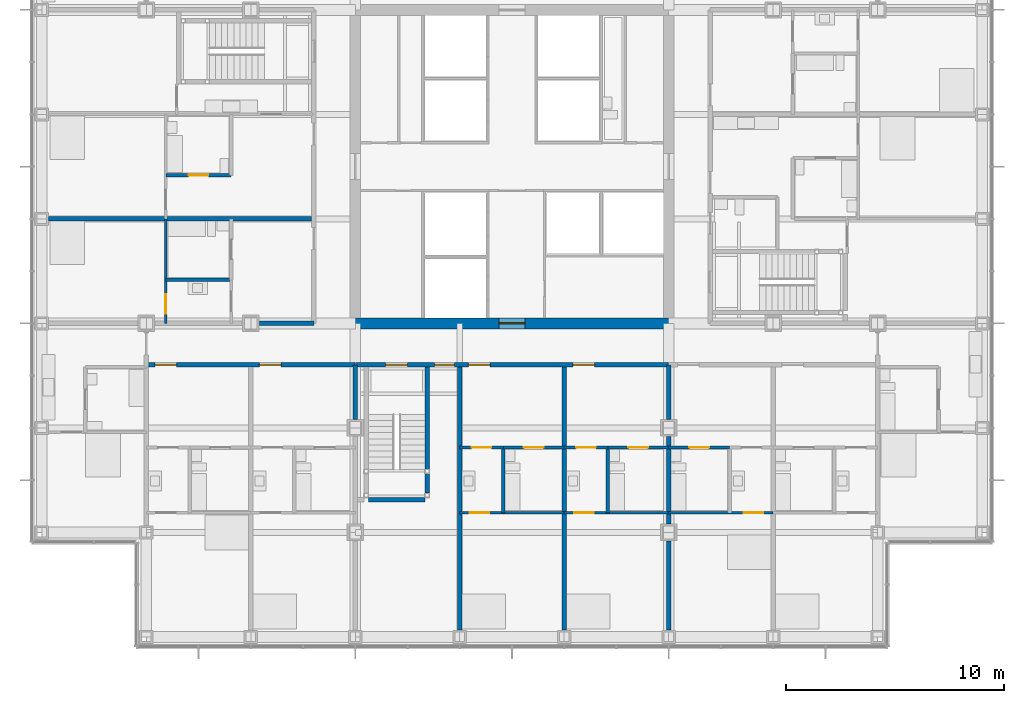
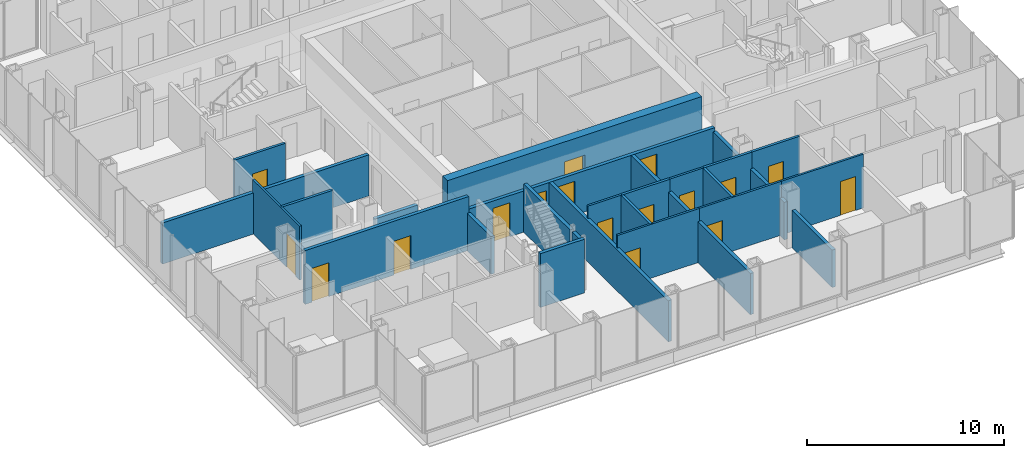
# One storey, part 14 of 22: 27 walls, 17 doors, 17 openings.
"""IFC4 building model written with IfcOpenShell, lengths in metres."""

import ifcopenshell
import ifcopenshell.guid

model = None  # the IFC model being written
_history = None  # IfcOwnerHistory: only IFC2X3 demands one
_inside = {}  # id of a spatial element -> (the spatial element, [elements in it])
_under = {}  # id of a project, library or spatial element -> (it, [spatial elements below it])
_declared = {}  # id of a project -> (the project, [libraries it declares])
_typed = {}  # id of a type object -> (the type object, [elements of that type])
_made_of = {}  # id of a material, layer set ... -> (it, [elements and type objects made of it])


def new_model(schema):
    """Start an empty IFC model of exactly this schema.

    Asked for "IFC4X3", IfcOpenShell would pick the latest addendum, in which some entities
    have other attributes; the version numbers below select the first issue.
    IFC2X3 requires an IfcOwnerHistory on every rooted entity: one is made here for all.
    """
    global model, _history
    if schema == "IFC4X3":
        model = ifcopenshell.file(schema_version=(4, 3, 0, 0))
    else:
        model = ifcopenshell.file(schema=schema)
    _inside.clear()
    _under.clear()
    _declared.clear()
    _typed.clear()
    _made_of.clear()
    _history = None
    if model.schema == "IFC2X3":
        org = make("IfcOrganization", Name="unknown")
        user = make(
            "IfcPersonAndOrganization",
            ThePerson=make("IfcPerson", FamilyName="unknown"),
            TheOrganization=org,
        )
        app = make(
            "IfcApplication",
            ApplicationDeveloper=org,
            Version="unknown",
            ApplicationFullName="unknown",
            ApplicationIdentifier="unknown",
        )
        _history = make(
            "IfcOwnerHistory",
            OwningUser=user,
            OwningApplication=app,
            ChangeAction="ADDED",
            CreationDate=0,
        )
    return model


def make(cls, **values):
    """One entity of the class cls with the attributes given. An attribute that is None is left unset."""
    return model.create_entity(
        cls, **{name: value for name, value in values.items() if value is not None}
    )


def rooted(cls, **values):
    """An entity with a GlobalId (a new one), such as an element, a storey or a relation."""
    return make(cls, GlobalId=ifcopenshell.guid.new(), OwnerHistory=_history, **values)


def si_unit(unit_type, name, prefix=None):
    """IfcSIUnit, for example si_unit("LENGTHUNIT", "METRE", prefix="MILLI")."""
    return make("IfcSIUnit", UnitType=unit_type, Prefix=prefix, Name=name)


def assignment(units):
    """IfcUnitAssignment: the units of a project."""
    return None if units is None else make("IfcUnitAssignment", Units=units)


def point(xyz):
    """IfcCartesianPoint."""
    return None if xyz is None else make("IfcCartesianPoint", Coordinates=xyz)


def direction(xyz):
    """IfcDirection."""
    return None if xyz is None else make("IfcDirection", DirectionRatios=xyz)


def frame(location, z_axis=None, x_axis=None):
    """IfcAxis2Placement3D, a coordinate frame: its origin and axes. An axis left out is left unset."""
    return make(
        "IfcAxis2Placement3D",
        Location=point(location),
        Axis=direction(z_axis),
        RefDirection=direction(x_axis),
    )


def frame_2d(location, x_axis=None):
    """IfcAxis2Placement2D, a coordinate frame in the plane: its origin and x axis."""
    return make(
        "IfcAxis2Placement2D", Location=point(location), RefDirection=direction(x_axis)
    )


def origin():
    """The frame at (0, 0, 0) with its axes left unset."""
    return frame((0.0, 0.0, 0.0))


def place(relative_to, where):
    """IfcLocalPlacement: puts the frame where relative to a parent placement (None: the world)."""
    return make(
        "IfcLocalPlacement", PlacementRelTo=relative_to, RelativePlacement=where
    )


def context(
    kind, dimensions, precision=None, world=None, true_north=None, identifier=None
):
    """IfcGeometricRepresentationContext, for example the 3D "Model" context."""
    return make(
        "IfcGeometricRepresentationContext",
        ContextIdentifier=identifier,
        ContextType=kind,
        CoordinateSpaceDimension=dimensions,
        Precision=precision,
        WorldCoordinateSystem=world,
        TrueNorth=true_north,
    )


def subcontext(parent, identifier, kind, view, scale=None):
    """IfcGeometricRepresentationSubContext, for example "Body" below "Model"."""
    return make(
        "IfcGeometricRepresentationSubContext",
        ContextIdentifier=identifier,
        ContextType=kind,
        ParentContext=parent,
        TargetScale=scale,
        TargetView=view,
    )


def project(units=None, contexts=None):
    """IfcProject with its units and contexts."""
    return rooted(
        "IfcProject",
        Name="project",
        RepresentationContexts=contexts,
        UnitsInContext=assignment(units),
    )


def spatial(cls, under=None, at=None, **own):
    """A site, building, storey or space (cls), placed at a placement, below another one or the project."""
    s = rooted(cls, ObjectPlacement=at, **own)
    if under is not None:
        _under.setdefault(under.id(), (under, []))[1].append(s)
    return s


def profile(cls, at=None, kind="AREA", **sizes):
    """A parametric profile (cls). Its sizes go by their IFC names, for example OverallWidth=200.0."""
    return make(cls, ProfileType=kind, Position=at, **sizes)


def rectangle(**sizes):
    """IfcRectangleProfileDef."""
    return profile("IfcRectangleProfileDef", **sizes)


def extrude(swept, where, along, depth):
    """IfcExtrudedAreaSolid: the profile swept, set in the frame where, extruded along a direction by depth."""
    return make(
        "IfcExtrudedAreaSolid",
        SweptArea=swept,
        Position=where,
        ExtrudedDirection=direction(along),
        Depth=depth,
    )


def shape(context_of_items, identifier, shape_type, items):
    """IfcShapeRepresentation: the items that make up one representation, for example the "Body"."""
    return make(
        "IfcShapeRepresentation",
        ContextOfItems=context_of_items,
        RepresentationIdentifier=identifier,
        RepresentationType=shape_type,
        Items=items,
    )


def material(Name=None, Category=None):
    """IfcMaterial."""
    return make("IfcMaterial", Name=Name, Category=Category)


def layer(
    of_material, thickness, ventilated=None, Name=None, Category=None, Priority=None
):
    """IfcMaterialLayer: one layer of a wall or slab, of a material (None: an air gap)."""
    return make(
        "IfcMaterialLayer",
        Material=of_material,
        LayerThickness=thickness,
        IsVentilated=ventilated,
        Name=Name,
        Category=Category,
        Priority=Priority,
    )


def layer_set(layers, Name=None):
    """IfcMaterialLayerSet."""
    return make("IfcMaterialLayerSet", MaterialLayers=layers, LayerSetName=Name)


def made_of(thing, what):
    """Note that an element or type object is made of a material, layer set ...; save() writes the relation."""
    if what is not None:
        _made_of.setdefault(what.id(), (what, []))[1].append(thing)
    return thing


def type_object(cls, material=None, **own):
    """A type object (cls), such as IfcWallType, which elements share."""
    return made_of(rooted(cls, **own), material)


def element(
    cls,
    number,
    at=None,
    inside=None,
    cuts=None,
    type_object=None,
    material=None,
    context=None,
    identifier="Body",
    shape_type=None,
    held_by="IfcProductDefinitionShape",
    body=None,
    shapes=None,
    **own,
):
    """One element of the class cls, such as IfcWall. Its Tag is "e" and its number.

    at: its placement. inside: the storey or other place that contains it. cuts: it is an
    opening in that element (IfcRelVoidsElement). A single representation is given by context,
    identifier, shape_type and body (its items); several are given by shapes. held_by: the class
    of the entity that holds the representations. save() writes the other relations.
    """
    e = rooted(cls, Tag="e%d" % number, ObjectPlacement=at, **own)
    if body is not None:
        shapes = [shape(context, identifier, shape_type, body)]
    if shapes is not None:
        e.Representation = make(held_by, Representations=shapes)
    if inside is not None:
        _inside.setdefault(inside.id(), (inside, []))[1].append(e)
    if cuts is not None:
        rooted(
            "IfcRelVoidsElement", RelatingBuildingElement=cuts, RelatedOpeningElement=e
        )
    if type_object is not None:
        _typed.setdefault(type_object.id(), (type_object, []))[1].append(e)
    return made_of(e, material)


def fill(opening, filler):
    """IfcRelFillsElement: the door or window that sits in an opening."""
    return rooted(
        "IfcRelFillsElement",
        RelatingOpeningElement=opening,
        RelatedBuildingElement=filler,
    )


def aggregate(whole, parts):
    """IfcRelAggregates: a whole, such as a stair, and the parts it consists of."""
    return rooted("IfcRelAggregates", RelatingObject=whole, RelatedObjects=parts)


def save(model, path):
    """Write the relations noted so far, then the file.

    IfcRelAggregates (storeys below a building ...), IfcRelContainedInSpatialStructure (elements
    in a storey), IfcRelDefinesByType, IfcRelAssociatesMaterial and IfcRelDeclares: one each for
    every whole, place, type object, material and project.
    """
    for whole, parts in _under.values():
        aggregate(whole, parts)
    for where, things in _inside.values():
        rooted(
            "IfcRelContainedInSpatialStructure",
            RelatedElements=things,
            RelatingStructure=where,
        )
    for kind, things in _typed.values():
        rooted("IfcRelDefinesByType", RelatedObjects=things, RelatingType=kind)
    for what, things in _made_of.values():
        rooted("IfcRelAssociatesMaterial", RelatedObjects=things, RelatingMaterial=what)
    for by, libraries in _declared.values():
        rooted("IfcRelDeclares", RelatingContext=by, RelatedDefinitions=libraries)
    model.write(path)


model = new_model("IFC4")

# Units and contexts
model_context = context("Model", 3, precision=1e-05, world=origin(), true_north=direction((0.0, 1.0)))
body_context = subcontext(model_context, "Body", "Model", "MODEL_VIEW")
ifc_project = project(units=[si_unit("LENGTHUNIT", "METRE"), si_unit("AREAUNIT", "SQUARE_METRE"), si_unit("VOLUMEUNIT", "CUBIC_METRE"), si_unit("PLANEANGLEUNIT", "RADIAN"), si_unit("MASSUNIT", "GRAM", prefix="KILO")], contexts=[model_context])

# Site, building, storey
site_placement = place(None, origin())
site = spatial("IfcSite", under=ifc_project, at=site_placement, CompositionType="ELEMENT")
building_placement = place(site_placement, origin())
building = spatial("IfcBuilding", under=site, at=building_placement, Name="Kvirike Care Tower", CompositionType="ELEMENT")
storey_placement = place(building_placement, frame((0.0, 0.0, 69.0)))
storey = spatial("IfcBuildingStorey", under=building, at=storey_placement, Name="L18", CompositionType="ELEMENT", Elevation=69.0)

# Wall, opening, door
ifc_material_1 = material(Name="Moisture-resistant board partition", Category="gypsum")
ifc_layer_1 = layer(ifc_material_1, 0.14990234375)
ifc_layer_set_1 = layer_set([ifc_layer_1], Name="BATHROOM WALL 150")
wall_type_1 = type_object("IfcWallType", Name="BATHROOM WALL 150", PredefinedType="PARTITIONING", material=ifc_layer_set_1)
wall_1_placement = place(storey_placement, frame((5.699951171875, 35.60009765625, 0.0), z_axis=(0.0, 0.0, 1.0), x_axis=(1.0, 0.0, 0.0)))
wall_1 = element("IfcWall", 1, at=wall_1_placement, inside=storey, type_object=wall_type_1, Name="Bathroom Wall 150 L18", PredefinedType="PARTITIONING", context=body_context, shape_type="SweptSolid", body=[
    extrude(rectangle(XDim=3.0, YDim=0.14990234375, at=frame_2d((1.5, 0.0))), origin(), (0.0, 0.0, 1.0), 3.330078125),
])
opening_1_placement = place(wall_1_placement, frame((1.050048828125, 0.0, 0.0)))
opening_1 = element("IfcOpeningElement", 2, at=opening_1_placement, cuts=wall_1, Name="Opening 18-012", PredefinedType="OPENING", context=body_context, shape_type="SweptSolid", body=[
    extrude(rectangle(XDim=0.89990234375, YDim=2.10009765625, at=frame_2d((0.449951171875, 1.050048828125))), frame((0.0, 0.08544921875, 0.0), z_axis=(0.0, -1.0, 0.0), x_axis=(1.0, 0.0, 0.0)), (0.0, 0.0, 1.0), 0.1708984375),
])
ifc_material_2 = material(Name="Timber door set", Category="wood")
door_type_1 = type_object("IfcDoorType", Name="BATHROOM DOOR 900", OperationType="SINGLE_SWING_RIGHT", PredefinedType="DOOR", material=ifc_material_2)
door_1_placement = place(opening_1_placement, origin())
door_1 = element("IfcDoor", 3, at=door_1_placement, inside=storey, type_object=door_type_1, Name="Bathroom door", OperationType="SINGLE_SWING_LEFT", OverallHeight=2.10009765625, OverallWidth=0.89990234375, PredefinedType="DOOR", context=body_context, shape_type="SweptSolid", body=[
    extrude(rectangle(XDim=0.89990234375, YDim=2.10009765625, at=frame_2d((0.449951171875, 1.050048828125))), frame((0.0, 0.02197265625, 0.0), z_axis=(0.0, -1.0, 0.0), x_axis=(1.0, 0.0, 0.0)), (0.0, 0.0, 1.0), 0.0439453125),
])
fill(opening_1, door_1)

# Walls
for number, where, z_axis, x_axis, name in (
    (4, (5.699951171875, 30.800048828125, 0.0), (0.0, 0.0, 1.0), (1.0, 0.0, 0.0), "Bathroom Wall 150 L18"),
    (5, (21.199951171875, 20.10009765625, 0.0), (0.0, 0.0, 1.0), (0.0, 1.0, 0.0), "Bathroom Wall 150 L18"),
):
    element("IfcWall", number, at=place(storey_placement, frame(where, z_axis=z_axis, x_axis=x_axis)), inside=storey, type_object=wall_type_1, Name=name, PredefinedType="PARTITIONING", context=body_context, shape_type="SweptSolid", body=[
        extrude(rectangle(XDim=3.0, YDim=0.14990234375, at=frame_2d((1.5, 0.0))), origin(), (0.0, 0.0, 1.0), 3.330078125),
    ])

# Wall, opening, door
wall_2_placement = place(storey_placement, frame((21.199951171875, 23.10009765625, 0.0), z_axis=(0.0, 0.0, 1.0), x_axis=(1.0, 0.0, 0.0)))
wall_2 = element("IfcWall", 6, at=wall_2_placement, inside=storey, type_object=wall_type_1, Name="Bathroom Wall 150 L18", PredefinedType="PARTITIONING", context=body_context, shape_type="SweptSolid", body=[
    extrude(rectangle(XDim=2.800048828125, YDim=0.14990234375, at=frame_2d((1.39990234375, 0.0))), origin(), (0.0, 0.0, 1.0), 3.330078125),
])
opening_2_placement = place(wall_2_placement, frame((0.949951171875, 0.0, 0.0)))
opening_2 = element("IfcOpeningElement", 7, at=opening_2_placement, cuts=wall_2, Name="Opening 18-033", PredefinedType="OPENING", context=body_context, shape_type="SweptSolid", body=[
    extrude(rectangle(XDim=0.89990234375, YDim=2.10009765625, at=frame_2d((0.449951171875, 1.050048828125))), frame((0.0, 0.08544921875, 0.0), z_axis=(0.0, -1.0, 0.0), x_axis=(1.0, 0.0, 0.0)), (0.0, 0.0, 1.0), 0.1708984375),
])
door_2_placement = place(opening_2_placement, frame((0.89990234375, 0.0, 0.0), z_axis=(0.0, 0.0, 1.0), x_axis=(-1.0, 0.0, 0.0)))
door_2 = element("IfcDoor", 8, at=door_2_placement, inside=storey, type_object=door_type_1, Name="Bathroom door", OperationType="SINGLE_SWING_RIGHT", OverallHeight=2.10009765625, OverallWidth=0.89990234375, PredefinedType="DOOR", context=body_context, shape_type="SweptSolid", body=[
    extrude(rectangle(XDim=0.89990234375, YDim=2.10009765625, at=frame_2d((0.449951171875, 1.050048828125))), frame((0.0, 0.02197265625, 0.0), z_axis=(0.0, -1.0, 0.0), x_axis=(1.0, 0.0, 0.0)), (0.0, 0.0, 1.0), 0.0439453125),
])
fill(opening_2, door_2)

# Wall
wall_3_placement = place(storey_placement, frame((26.0, 20.10009765625, 0.0), z_axis=(0.0, 0.0, 1.0), x_axis=(0.0, 1.0, 0.0)))
element("IfcWall", 9, at=wall_3_placement, inside=storey, type_object=wall_type_1, Name="Bathroom Wall 150 L18", PredefinedType="PARTITIONING", context=body_context, shape_type="SweptSolid", body=[
    extrude(rectangle(XDim=3.0, YDim=0.14990234375, at=frame_2d((1.5, 0.0))), origin(), (0.0, 0.0, 1.0), 3.330078125),
])

# Wall, opening, door
wall_4_placement = place(storey_placement, frame((26.0, 23.10009765625, 0.0), z_axis=(0.0, 0.0, 1.0), x_axis=(1.0, 0.0, 0.0)))
wall_4 = element("IfcWall", 10, at=wall_4_placement, inside=storey, type_object=wall_type_1, Name="Bathroom Wall 150 L18", PredefinedType="PARTITIONING", context=body_context, shape_type="SweptSolid", body=[
    extrude(rectangle(XDim=2.800048828125, YDim=0.14990234375, at=frame_2d((1.39990234375, 0.0))), origin(), (0.0, 0.0, 1.0), 3.330078125),
])
opening_3_placement = place(wall_4_placement, frame((0.949951171875, 0.0, 0.0)))
opening_3 = element("IfcOpeningElement", 11, at=opening_3_placement, cuts=wall_4, Name="Opening 18-036", PredefinedType="OPENING", context=body_context, shape_type="SweptSolid", body=[
    extrude(rectangle(XDim=0.89990234375, YDim=2.10009765625, at=frame_2d((0.449951171875, 1.050048828125))), frame((0.0, 0.08544921875, 0.0), z_axis=(0.0, -1.0, 0.0), x_axis=(1.0, 0.0, 0.0)), (0.0, 0.0, 1.0), 0.1708984375),
])
door_3_placement = place(opening_3_placement, frame((0.89990234375, 0.0, 0.0), z_axis=(0.0, 0.0, 1.0), x_axis=(-1.0, 0.0, 0.0)))
door_3 = element("IfcDoor", 12, at=door_3_placement, inside=storey, type_object=door_type_1, Name="Bathroom door", OperationType="SINGLE_SWING_LEFT", OverallHeight=2.10009765625, OverallWidth=0.89990234375, PredefinedType="DOOR", context=body_context, shape_type="SweptSolid", body=[
    extrude(rectangle(XDim=0.89990234375, YDim=2.10009765625, at=frame_2d((0.449951171875, 1.050048828125))), frame((0.0, 0.02197265625, 0.0), z_axis=(0.0, -1.0, 0.0), x_axis=(1.0, 0.0, 0.0)), (0.0, 0.0, 1.0), 0.0439453125),
])
fill(opening_3, door_3)

wall_5_placement = place(storey_placement, frame((28.800048828125, 23.10009765625, 0.0), z_axis=(0.0, 0.0, 1.0), x_axis=(1.0, 0.0, 0.0)))
wall_5 = element("IfcWall", 13, at=wall_5_placement, inside=storey, type_object=wall_type_1, Name="Bathroom Wall 150 L18", PredefinedType="PARTITIONING", context=body_context, shape_type="SweptSolid", body=[
    extrude(rectangle(XDim=2.800048828125, YDim=0.14990234375, at=frame_2d((1.39990234375, 0.0))), origin(), (0.0, 0.0, 1.0), 3.330078125),
])
opening_4_placement = place(wall_5_placement, frame((0.949951171875, 0.0, 0.0)))
opening_4 = element("IfcOpeningElement", 14, at=opening_4_placement, cuts=wall_5, Name="Opening 18-055", PredefinedType="OPENING", context=body_context, shape_type="SweptSolid", body=[
    extrude(rectangle(XDim=0.89990234375, YDim=2.10009765625, at=frame_2d((0.449951171875, 1.050048828125))), frame((0.0, 0.08544921875, 0.0), z_axis=(0.0, -1.0, 0.0), x_axis=(1.0, 0.0, 0.0)), (0.0, 0.0, 1.0), 0.1708984375),
])
door_4_placement = place(opening_4_placement, frame((0.89990234375, 0.0, 0.0), z_axis=(0.0, 0.0, 1.0), x_axis=(-1.0, 0.0, 0.0)))
door_4 = element("IfcDoor", 15, at=door_4_placement, inside=storey, type_object=door_type_1, Name="Bathroom door", OperationType="SINGLE_SWING_RIGHT", OverallHeight=2.10009765625, OverallWidth=0.89990234375, PredefinedType="DOOR", context=body_context, shape_type="SweptSolid", body=[
    extrude(rectangle(XDim=0.89990234375, YDim=2.10009765625, at=frame_2d((0.449951171875, 1.050048828125))), frame((0.0, 0.02197265625, 0.0), z_axis=(0.0, -1.0, 0.0), x_axis=(1.0, 0.0, 0.0)), (0.0, 0.0, 1.0), 0.0439453125),
])
fill(opening_4, door_4)

ifc_material_3 = material(Name="Concrete C60/75", Category="concrete")
ifc_layer_2 = layer(ifc_material_3, 0.5)
ifc_layer_set_2 = layer_set([ifc_layer_2], Name="CORE WALL 500 C60-75")
wall_type_2 = type_object("IfcWallType", Name="CORE WALL 500 C60-75", PredefinedType="SHEAR", material=ifc_layer_set_2)
wall_6_placement = place(storey_placement, frame((14.14990234375, 28.800048828125, -0.169921875), z_axis=(0.0, 0.0, 1.0), x_axis=(1.0, 0.0, 0.0)))
wall_6 = element("IfcWall", 16, at=wall_6_placement, inside=storey, type_object=wall_type_2, Name="Core wall S L18", PredefinedType="SHEAR", context=body_context, shape_type="SweptSolid", body=[
    extrude(rectangle(XDim=14.900146484375, YDim=0.5, at=frame_2d((7.4501953125, 0.0))), origin(), (0.0, 0.0, 1.0), 3.5),
])
opening_5_placement = place(wall_6_placement, frame((6.85009765625, 0.0, 0.169921875)))
opening_5 = element("IfcOpeningElement", 17, at=opening_5_placement, cuts=wall_6, Name="Opening 18-098", PredefinedType="OPENING", context=body_context, shape_type="SweptSolid", body=[
    extrude(rectangle(XDim=1.199951171875, YDim=2.10009765625, at=frame_2d((0.60009765625, 1.050048828125))), frame((0.0, 0.260498046875, 0.0), z_axis=(0.0, -1.0, 0.0), x_axis=(1.0, 0.0, 0.0)), (0.0, 0.0, 1.0), 0.52099609375),
])
ifc_material_4 = material(Name="Timber door set", Category="wood")
door_type_2 = type_object("IfcDoorType", Name="CORE DOOR 1200", OperationType="SINGLE_SWING_LEFT", PredefinedType="DOOR", material=ifc_material_4)
door_5_placement = place(opening_5_placement, origin())
door_5 = element("IfcDoor", 18, at=door_5_placement, inside=storey, type_object=door_type_2, Name="Core door S L18", OperationType="SINGLE_SWING_LEFT", OverallHeight=2.10009765625, OverallWidth=1.199951171875, PredefinedType="DOOR", context=body_context, shape_type="SweptSolid", body=[
    extrude(rectangle(XDim=1.199951171875, YDim=2.10009765625, at=frame_2d((0.60009765625, 1.050048828125))), frame((0.0, 0.02685546875, 0.0), z_axis=(0.0, -1.0, 0.0), x_axis=(1.0, 0.0, 0.0)), (0.0, 0.0, 1.0), 0.053955078125),
])
fill(opening_5, door_5)

# Wall, openings, doors
ifc_material_5 = material(Name="Plasterboard corridor wall", Category="gypsum")
ifc_layer_3 = layer(ifc_material_5, 0.199951171875)
ifc_layer_set_3 = layer_set([ifc_layer_3], Name="CORRIDOR WALL 200")
wall_type_3 = type_object("IfcWallType", Name="CORRIDOR WALL 200", PredefinedType="PARTITIONING", material=ifc_layer_set_3)
wall_7_placement = place(storey_placement, frame((4.800048828125, 26.89990234375, 0.0), z_axis=(0.0, 0.0, 1.0), x_axis=(1.0, 0.0, 0.0)))
wall_7 = element("IfcWall", 19, at=wall_7_placement, inside=storey, type_object=wall_type_3, Name="Corridor Wall 200 L18", PredefinedType="PARTITIONING", context=body_context, shape_type="SweptSolid", body=[
    extrude(rectangle(XDim=9.599853515625, YDim=0.199951171875, at=frame_2d((4.7998046875, 0.0))), origin(), (0.0, 0.0, 1.0), 3.330078125),
])
opening_6_placement = place(wall_7_placement, frame((0.39990234375, 0.0, 0.0)))
opening_6 = element("IfcOpeningElement", 20, at=opening_6_placement, cuts=wall_7, Name="Opening 18-009", PredefinedType="OPENING", context=body_context, shape_type="SweptSolid", body=[
    extrude(rectangle(XDim=1.0, YDim=2.10009765625, at=frame_2d((0.5, 1.050048828125))), frame((0.0, 0.110595703125, 0.0), z_axis=(0.0, -1.0, 0.0), x_axis=(1.0, 0.0, 0.0)), (0.0, 0.0, 1.0), 0.220947265625),
])
opening_7_placement = place(wall_7_placement, frame((5.199951171875, 0.0, 0.0)))
opening_7 = element("IfcOpeningElement", 21, at=opening_7_placement, cuts=wall_7, Name="Opening 18-010", PredefinedType="OPENING", context=body_context, shape_type="SweptSolid", body=[
    extrude(rectangle(XDim=1.0, YDim=2.10009765625, at=frame_2d((0.5, 1.050048828125))), frame((0.0, 0.110595703125, 0.0), z_axis=(0.0, -1.0, 0.0), x_axis=(1.0, 0.0, 0.0)), (0.0, 0.0, 1.0), 0.220947265625),
])
ifc_material_6 = material(Name="Timber door set", Category="wood")
door_type_3 = type_object("IfcDoorType", Name="FLAT ENTRANCE DOOR 1000", OperationType="SINGLE_SWING_LEFT", PredefinedType="DOOR", material=ifc_material_6)
door_6_placement = place(opening_6_placement, frame((1.0, 0.0, 0.0), z_axis=(0.0, 0.0, 1.0), x_axis=(-1.0, 0.0, 0.0)))
door_6 = element("IfcDoor", 22, at=door_6_placement, inside=storey, type_object=door_type_3, Name="Studio apartment entrance", OperationType="SINGLE_SWING_LEFT", OverallHeight=2.10009765625, OverallWidth=1.0, PredefinedType="DOOR", context=body_context, shape_type="SweptSolid", body=[
    extrude(rectangle(XDim=1.0, YDim=2.10009765625, at=frame_2d((0.5, 1.050048828125))), frame((0.0, 0.02685546875, 0.0), z_axis=(0.0, -1.0, 0.0), x_axis=(1.0, 0.0, 0.0)), (0.0, 0.0, 1.0), 0.053955078125),
])
fill(opening_6, door_6)
door_7_placement = place(opening_7_placement, frame((1.0, 0.0, 0.0), z_axis=(0.0, 0.0, 1.0), x_axis=(-1.0, 0.0, 0.0)))
door_7 = element("IfcDoor", 23, at=door_7_placement, inside=storey, type_object=door_type_3, Name="Studio apartment entrance", OperationType="SINGLE_SWING_LEFT", OverallHeight=2.10009765625, OverallWidth=1.0, PredefinedType="DOOR", context=body_context, shape_type="SweptSolid", body=[
    extrude(rectangle(XDim=1.0, YDim=2.10009765625, at=frame_2d((0.5, 1.050048828125))), frame((0.0, 0.02685546875, 0.0), z_axis=(0.0, -1.0, 0.0), x_axis=(1.0, 0.0, 0.0)), (0.0, 0.0, 1.0), 0.053955078125),
])
fill(opening_7, door_7)

wall_8_placement = place(storey_placement, frame((14.39990234375, 26.89990234375, 0.0), z_axis=(0.0, 0.0, 1.0), x_axis=(1.0, 0.0, 0.0)))
wall_8 = element("IfcWall", 24, at=wall_8_placement, inside=storey, type_object=wall_type_3, Name="Corridor Wall 200 L18", PredefinedType="PARTITIONING", context=body_context, shape_type="SweptSolid", body=[
    extrude(rectangle(XDim=14.400146484375, YDim=0.199951171875, at=frame_2d((7.2001953125, 0.0))), origin(), (0.0, 0.0, 1.0), 2.550048828125),
])
opening_8_placement = place(wall_8_placement, frame((1.39990234375, 0.0, 0.0)))
opening_8 = element("IfcOpeningElement", 25, at=opening_8_placement, cuts=wall_8, Name="Opening 18-039", PredefinedType="OPENING", context=body_context, shape_type="SweptSolid", body=[
    extrude(rectangle(XDim=1.0, YDim=2.10009765625, at=frame_2d((0.5, 1.050048828125))), frame((0.0, 0.110595703125, 0.0), z_axis=(0.0, -1.0, 0.0), x_axis=(1.0, 0.0, 0.0)), (0.0, 0.0, 1.0), 0.220947265625),
])
opening_9_placement = place(wall_8_placement, frame((3.64990234375, 0.0, 0.0)))
opening_9 = element("IfcOpeningElement", 26, at=opening_9_placement, cuts=wall_8, Name="Opening 18-040", PredefinedType="OPENING", context=body_context, shape_type="SweptSolid", body=[
    extrude(rectangle(XDim=0.89990234375, YDim=2.10009765625, at=frame_2d((0.449951171875, 1.050048828125))), frame((0.0, 0.110595703125, 0.0), z_axis=(0.0, -1.0, 0.0), x_axis=(1.0, 0.0, 0.0)), (0.0, 0.0, 1.0), 0.220947265625),
])
opening_10_placement = place(wall_8_placement, frame((5.199951171875, 0.0, 0.0)))
opening_10 = element("IfcOpeningElement", 27, at=opening_10_placement, cuts=wall_8, Name="Opening 18-041", PredefinedType="OPENING", context=body_context, shape_type="SweptSolid", body=[
    extrude(rectangle(XDim=1.0, YDim=2.10009765625, at=frame_2d((0.5, 1.050048828125))), frame((0.0, 0.110595703125, 0.0), z_axis=(0.0, -1.0, 0.0), x_axis=(1.0, 0.0, 0.0)), (0.0, 0.0, 1.0), 0.220947265625),
])
opening_11_placement = place(wall_8_placement, frame((10.0, 0.0, 0.0)))
opening_11 = element("IfcOpeningElement", 28, at=opening_11_placement, cuts=wall_8, Name="Opening 18-042", PredefinedType="OPENING", context=body_context, shape_type="SweptSolid", body=[
    extrude(rectangle(XDim=1.0, YDim=2.10009765625, at=frame_2d((0.5, 1.050048828125))), frame((0.0, 0.110595703125, 0.0), z_axis=(0.0, -1.0, 0.0), x_axis=(1.0, 0.0, 0.0)), (0.0, 0.0, 1.0), 0.220947265625),
])
door_8_placement = place(opening_10_placement, frame((1.0, 0.0, 0.0), z_axis=(0.0, 0.0, 1.0), x_axis=(-1.0, 0.0, 0.0)))
door_8 = element("IfcDoor", 29, at=door_8_placement, inside=storey, type_object=door_type_3, Name="Studio apartment entrance", OperationType="SINGLE_SWING_LEFT", OverallHeight=2.10009765625, OverallWidth=1.0, PredefinedType="DOOR", context=body_context, shape_type="SweptSolid", body=[
    extrude(rectangle(XDim=1.0, YDim=2.10009765625, at=frame_2d((0.5, 1.050048828125))), frame((0.0, 0.02685546875, 0.0), z_axis=(0.0, -1.0, 0.0), x_axis=(1.0, 0.0, 0.0)), (0.0, 0.0, 1.0), 0.053955078125),
])
fill(opening_10, door_8)
door_9_placement = place(opening_11_placement, frame((1.0, 0.0, 0.0), z_axis=(0.0, 0.0, 1.0), x_axis=(-1.0, 0.0, 0.0)))
door_9 = element("IfcDoor", 30, at=door_9_placement, inside=storey, type_object=door_type_3, Name="Studio apartment entrance", OperationType="SINGLE_SWING_LEFT", OverallHeight=2.10009765625, OverallWidth=1.0, PredefinedType="DOOR", context=body_context, shape_type="SweptSolid", body=[
    extrude(rectangle(XDim=1.0, YDim=2.10009765625, at=frame_2d((0.5, 1.050048828125))), frame((0.0, 0.02685546875, 0.0), z_axis=(0.0, -1.0, 0.0), x_axis=(1.0, 0.0, 0.0)), (0.0, 0.0, 1.0), 0.053955078125),
])
fill(opening_11, door_9)
ifc_material_7 = material(Name="Timber door set", Category="wood")
door_type_4 = type_object("IfcDoorType", Name="STAIR DOOR 1000", OperationType="SINGLE_SWING_LEFT", PredefinedType="DOOR", material=ifc_material_7)
door_10_placement = place(opening_8_placement, frame((1.0, 0.0, 0.0), z_axis=(0.0, 0.0, 1.0), x_axis=(-1.0, 0.0, 0.0)))
door_10 = element("IfcDoor", 31, at=door_10_placement, inside=storey, type_object=door_type_4, Name="Stair 5 door", OperationType="SINGLE_SWING_LEFT", OverallHeight=2.10009765625, OverallWidth=1.0, PredefinedType="DOOR", context=body_context, shape_type="SweptSolid", body=[
    extrude(rectangle(XDim=1.0, YDim=2.10009765625, at=frame_2d((0.5, 1.050048828125))), frame((0.0, 0.031982421875, 0.0), z_axis=(0.0, -1.0, 0.0), x_axis=(1.0, 0.0, 0.0)), (0.0, 0.0, 1.0), 0.06396484375),
])
fill(opening_8, door_10)
ifc_material_8 = material(Name="Timber door set", Category="wood")
door_type_5 = type_object("IfcDoorType", Name="STORE DOOR 900", OperationType="SINGLE_SWING_LEFT", PredefinedType="DOOR", material=ifc_material_8)
door_11_placement = place(opening_9_placement, frame((0.89990234375, 0.0, 0.0), z_axis=(0.0, 0.0, 1.0), x_axis=(-1.0, 0.0, 0.0)))
door_11 = element("IfcDoor", 32, at=door_11_placement, inside=storey, type_object=door_type_5, Name="Housekeeping room door", OperationType="SINGLE_SWING_LEFT", OverallHeight=2.10009765625, OverallWidth=0.89990234375, PredefinedType="DOOR", context=body_context, shape_type="SweptSolid", body=[
    extrude(rectangle(XDim=0.89990234375, YDim=2.10009765625, at=frame_2d((0.449951171875, 1.050048828125))), frame((0.0, 0.02685546875, 0.0), z_axis=(0.0, -1.0, 0.0), x_axis=(1.0, 0.0, 0.0)), (0.0, 0.0, 1.0), 0.053955078125),
])
fill(opening_9, door_11)

# Wall, opening, door
ifc_material_9 = material(Name="Plasterboard partition", Category="gypsum")
ifc_layer_4 = layer(ifc_material_9, 0.1201171875)
ifc_layer_set_4 = layer_set([ifc_layer_4], Name="PARTITION 120")
wall_type_4 = type_object("IfcWallType", Name="PARTITION 120", PredefinedType="PARTITIONING", material=ifc_layer_set_4)
wall_9_placement = place(storey_placement, frame((5.699951171875, 33.60009765625, 0.0), z_axis=(0.0, 0.0, 1.0), x_axis=(0.0, -1.0, 0.0)))
wall_9 = element("IfcWall", 33, at=wall_9_placement, inside=storey, type_object=wall_type_4, Name="Partition 120 L18", PredefinedType="PARTITIONING", context=body_context, shape_type="SweptSolid", body=[
    extrude(rectangle(XDim=4.800048828125, YDim=0.1201171875, at=frame_2d((2.39990234375, 0.0))), origin(), (0.0, 0.0, 1.0), 3.330078125),
])
opening_12_placement = place(wall_9_placement, frame((3.449951171875, 0.0, 0.0)))
opening_12 = element("IfcOpeningElement", 34, at=opening_12_placement, cuts=wall_9, Name="Opening 18-018", PredefinedType="OPENING", context=body_context, shape_type="SweptSolid", body=[
    extrude(rectangle(XDim=0.89990234375, YDim=2.10009765625, at=frame_2d((0.449951171875, 1.050048828125))), frame((0.0, 0.070556640625, 0.0), z_axis=(0.0, -1.0, 0.0), x_axis=(1.0, 0.0, 0.0)), (0.0, 0.0, 1.0), 0.14111328125),
])
ifc_material_10 = material(Name="Timber door set", Category="wood")
door_type_6 = type_object("IfcDoorType", Name="INTERNAL DOOR 900", OperationType="SINGLE_SWING_LEFT", PredefinedType="DOOR", material=ifc_material_10)
door_12_placement = place(opening_12_placement, origin())
door_12 = element("IfcDoor", 35, at=door_12_placement, inside=storey, type_object=door_type_6, Name="Studio apartment living room door", OperationType="SINGLE_SWING_LEFT", OverallHeight=2.10009765625, OverallWidth=0.89990234375, PredefinedType="DOOR", context=body_context, shape_type="SweptSolid", body=[
    extrude(rectangle(XDim=0.89990234375, YDim=2.10009765625, at=frame_2d((0.449951171875, 1.050048828125))), frame((0.0, 0.02197265625, 0.0), z_axis=(0.0, -1.0, 0.0), x_axis=(1.0, 0.0, 0.0)), (0.0, 0.0, 1.0), 0.0439453125),
])
fill(opening_12, door_12)

wall_10_placement = place(storey_placement, frame((19.199951171875, 23.10009765625, 0.0), z_axis=(0.0, 0.0, 1.0), x_axis=(1.0, 0.0, 0.0)))
wall_10 = element("IfcWall", 36, at=wall_10_placement, inside=storey, type_object=wall_type_4, Name="Partition 120 L18", PredefinedType="PARTITIONING", context=body_context, shape_type="SweptSolid", body=[
    extrude(rectangle(XDim=2.0, YDim=0.1201171875, at=frame_2d((1.0, 0.0))), origin(), (0.0, 0.0, 1.0), 3.330078125),
])
opening_13_placement = place(wall_10_placement, frame((0.550048828125, 0.0, 0.0)))
opening_13 = element("IfcOpeningElement", 37, at=opening_13_placement, cuts=wall_10, Name="Opening 18-034", PredefinedType="OPENING", context=body_context, shape_type="SweptSolid", body=[
    extrude(rectangle(XDim=0.89990234375, YDim=2.10009765625, at=frame_2d((0.449951171875, 1.050048828125))), frame((0.0, 0.070556640625, 0.0), z_axis=(0.0, -1.0, 0.0), x_axis=(1.0, 0.0, 0.0)), (0.0, 0.0, 1.0), 0.14111328125),
])
door_13_placement = place(opening_13_placement, frame((0.89990234375, 0.0, 0.0), z_axis=(0.0, 0.0, 1.0), x_axis=(-1.0, 0.0, 0.0)))
door_13 = element("IfcDoor", 38, at=door_13_placement, inside=storey, type_object=door_type_6, Name="Kitchen door", OperationType="SINGLE_SWING_RIGHT", OverallHeight=2.10009765625, OverallWidth=0.89990234375, PredefinedType="DOOR", context=body_context, shape_type="SweptSolid", body=[
    extrude(rectangle(XDim=0.89990234375, YDim=2.10009765625, at=frame_2d((0.449951171875, 1.050048828125))), frame((0.0, 0.02197265625, 0.0), z_axis=(0.0, -1.0, 0.0), x_axis=(1.0, 0.0, 0.0)), (0.0, 0.0, 1.0), 0.0439453125),
])
fill(opening_13, door_13)

wall_11_placement = place(storey_placement, frame((19.199951171875, 20.10009765625, 0.0), z_axis=(0.0, 0.0, 1.0), x_axis=(1.0, 0.0, 0.0)))
wall_11 = element("IfcWall", 39, at=wall_11_placement, inside=storey, type_object=wall_type_4, Name="Partition 120 L18", PredefinedType="PARTITIONING", context=body_context, shape_type="SweptSolid", body=[
    extrude(rectangle(XDim=4.800048828125, YDim=0.1201171875, at=frame_2d((2.39990234375, 0.0))), origin(), (0.0, 0.0, 1.0), 3.330078125),
])
opening_14_placement = place(wall_11_placement, frame((0.449951171875, 0.0, 0.0)))
opening_14 = element("IfcOpeningElement", 40, at=opening_14_placement, cuts=wall_11, Name="Opening 18-035", PredefinedType="OPENING", context=body_context, shape_type="SweptSolid", body=[
    extrude(rectangle(XDim=0.89990234375, YDim=2.10009765625, at=frame_2d((0.449951171875, 1.050048828125))), frame((0.0, 0.070556640625, 0.0), z_axis=(0.0, -1.0, 0.0), x_axis=(1.0, 0.0, 0.0)), (0.0, 0.0, 1.0), 0.14111328125),
])
door_14_placement = place(opening_14_placement, origin())
door_14 = element("IfcDoor", 41, at=door_14_placement, inside=storey, type_object=door_type_6, Name="Studio apartment living room door", OperationType="SINGLE_SWING_RIGHT", OverallHeight=2.10009765625, OverallWidth=0.89990234375, PredefinedType="DOOR", context=body_context, shape_type="SweptSolid", body=[
    extrude(rectangle(XDim=0.89990234375, YDim=2.10009765625, at=frame_2d((0.449951171875, 1.050048828125))), frame((0.0, 0.02197265625, 0.0), z_axis=(0.0, -1.0, 0.0), x_axis=(1.0, 0.0, 0.0)), (0.0, 0.0, 1.0), 0.0439453125),
])
fill(opening_14, door_14)

wall_12_placement = place(storey_placement, frame((24.0, 23.10009765625, 0.0), z_axis=(0.0, 0.0, 1.0), x_axis=(1.0, 0.0, 0.0)))
wall_12 = element("IfcWall", 42, at=wall_12_placement, inside=storey, type_object=wall_type_4, Name="Partition 120 L18", PredefinedType="PARTITIONING", context=body_context, shape_type="SweptSolid", body=[
    extrude(rectangle(XDim=2.0, YDim=0.1201171875, at=frame_2d((1.0, 0.0))), origin(), (0.0, 0.0, 1.0), 3.330078125),
])
opening_15_placement = place(wall_12_placement, frame((0.550048828125, 0.0, 0.0)))
opening_15 = element("IfcOpeningElement", 43, at=opening_15_placement, cuts=wall_12, Name="Opening 18-037", PredefinedType="OPENING", context=body_context, shape_type="SweptSolid", body=[
    extrude(rectangle(XDim=0.89990234375, YDim=2.10009765625, at=frame_2d((0.449951171875, 1.050048828125))), frame((0.0, 0.070556640625, 0.0), z_axis=(0.0, -1.0, 0.0), x_axis=(1.0, 0.0, 0.0)), (0.0, 0.0, 1.0), 0.14111328125),
])
door_15_placement = place(opening_15_placement, frame((0.89990234375, 0.0, 0.0), z_axis=(0.0, 0.0, 1.0), x_axis=(-1.0, 0.0, 0.0)))
door_15 = element("IfcDoor", 44, at=door_15_placement, inside=storey, type_object=door_type_6, Name="Kitchen door", OperationType="SINGLE_SWING_RIGHT", OverallHeight=2.10009765625, OverallWidth=0.89990234375, PredefinedType="DOOR", context=body_context, shape_type="SweptSolid", body=[
    extrude(rectangle(XDim=0.89990234375, YDim=2.10009765625, at=frame_2d((0.449951171875, 1.050048828125))), frame((0.0, 0.02197265625, 0.0), z_axis=(0.0, -1.0, 0.0), x_axis=(1.0, 0.0, 0.0)), (0.0, 0.0, 1.0), 0.0439453125),
])
fill(opening_15, door_15)

wall_13_placement = place(storey_placement, frame((24.0, 20.10009765625, 0.0), z_axis=(0.0, 0.0, 1.0), x_axis=(1.0, 0.0, 0.0)))
wall_13 = element("IfcWall", 45, at=wall_13_placement, inside=storey, type_object=wall_type_4, Name="Partition 120 L18", PredefinedType="PARTITIONING", context=body_context, shape_type="SweptSolid", body=[
    extrude(rectangle(XDim=4.800048828125, YDim=0.1201171875, at=frame_2d((2.39990234375, 0.0))), origin(), (0.0, 0.0, 1.0), 3.330078125),
])
opening_16_placement = place(wall_13_placement, frame((0.449951171875, 0.0, 0.0)))
opening_16 = element("IfcOpeningElement", 46, at=opening_16_placement, cuts=wall_13, Name="Opening 18-038", PredefinedType="OPENING", context=body_context, shape_type="SweptSolid", body=[
    extrude(rectangle(XDim=0.89990234375, YDim=2.10009765625, at=frame_2d((0.449951171875, 1.050048828125))), frame((0.0, 0.070556640625, 0.0), z_axis=(0.0, -1.0, 0.0), x_axis=(1.0, 0.0, 0.0)), (0.0, 0.0, 1.0), 0.14111328125),
])
door_16_placement = place(opening_16_placement, origin())
door_16 = element("IfcDoor", 47, at=door_16_placement, inside=storey, type_object=door_type_6, Name="Studio apartment living room door", OperationType="SINGLE_SWING_RIGHT", OverallHeight=2.10009765625, OverallWidth=0.89990234375, PredefinedType="DOOR", context=body_context, shape_type="SweptSolid", body=[
    extrude(rectangle(XDim=0.89990234375, YDim=2.10009765625, at=frame_2d((0.449951171875, 1.050048828125))), frame((0.0, 0.02197265625, 0.0), z_axis=(0.0, -1.0, 0.0), x_axis=(1.0, 0.0, 0.0)), (0.0, 0.0, 1.0), 0.0439453125),
])
fill(opening_16, door_16)

wall_14_placement = place(storey_placement, frame((28.800048828125, 20.10009765625, 0.0), z_axis=(0.0, 0.0, 1.0), x_axis=(1.0, 0.0, 0.0)))
wall_14 = element("IfcWall", 48, at=wall_14_placement, inside=storey, type_object=wall_type_4, Name="Partition 120 L18", PredefinedType="PARTITIONING", context=body_context, shape_type="SweptSolid", body=[
    extrude(rectangle(XDim=4.800048828125, YDim=0.1201171875, at=frame_2d((2.39990234375, 0.0))), origin(), (0.0, 0.0, 1.0), 3.330078125),
])
opening_17_placement = place(wall_14_placement, frame((3.449951171875, 0.0, 0.0)))
opening_17 = element("IfcOpeningElement", 49, at=opening_17_placement, cuts=wall_14, Name="Opening 18-057", PredefinedType="OPENING", context=body_context, shape_type="SweptSolid", body=[
    extrude(rectangle(XDim=0.89990234375, YDim=2.10009765625, at=frame_2d((0.449951171875, 1.050048828125))), frame((0.0, 0.070556640625, 0.0), z_axis=(0.0, -1.0, 0.0), x_axis=(1.0, 0.0, 0.0)), (0.0, 0.0, 1.0), 0.14111328125),
])
door_17_placement = place(opening_17_placement, origin())
door_17 = element("IfcDoor", 50, at=door_17_placement, inside=storey, type_object=door_type_6, Name="Studio apartment living room door", OperationType="SINGLE_SWING_LEFT", OverallHeight=2.10009765625, OverallWidth=0.89990234375, PredefinedType="DOOR", context=body_context, shape_type="SweptSolid", body=[
    extrude(rectangle(XDim=0.89990234375, YDim=2.10009765625, at=frame_2d((0.449951171875, 1.050048828125))), frame((0.0, 0.02197265625, 0.0), z_axis=(0.0, -1.0, 0.0), x_axis=(1.0, 0.0, 0.0)), (0.0, 0.0, 1.0), 0.0439453125),
])
fill(opening_17, door_17)

# Walls
ifc_material_11 = material(Name="Plasterboard party wall", Category="gypsum")
ifc_layer_5 = layer(ifc_material_11, 0.199951171875)
ifc_layer_set_5 = layer_set([ifc_layer_5], Name="PARTY WALL 200")
wall_type_5 = type_object("IfcWallType", Name="PARTY WALL 200", PredefinedType="PARTITIONING", material=ifc_layer_set_5)
wall_15_placement = place(storey_placement, frame((0.320068359375, 33.60009765625, 0.0), z_axis=(0.0, 0.0, 1.0), x_axis=(1.0, 0.0, 0.0)))
element("IfcWall", 51, at=wall_15_placement, inside=storey, type_object=wall_type_5, Name="Party Wall 200 L18", PredefinedType="PARTITIONING", context=body_context, shape_type="SweptSolid", body=[
    extrude(rectangle(XDim=12.079833984375, YDim=0.199951171875, at=frame_2d((6.0400390625, 0.0))), origin(), (0.0, 0.0, 1.0), 2.550048828125),
])
for number, where, z_axis, x_axis, name in (
    (52, (19.199951171875, 14.719970703125, 0.0), (0.0, 0.0, 1.0), (0.0, 1.0, 0.0), "Party Wall 200 L18"),
    (53, (24.0, 14.719970703125, 0.0), (0.0, 0.0, 1.0), (0.0, 1.0, 0.0), "Party Wall 200 L18"),
):
    element("IfcWall", number, at=place(storey_placement, frame(where, z_axis=z_axis, x_axis=x_axis)), inside=storey, type_object=wall_type_5, Name=name, PredefinedType="PARTITIONING", context=body_context, shape_type="SweptSolid", body=[
        extrude(rectangle(XDim=12.080078125, YDim=0.199951171875, at=frame_2d((6.0400390625, 0.0))), origin(), (0.0, 0.0, 1.0), 2.550048828125),
    ])
for number, where, z_axis, x_axis, name in (
    (54, (12.5, 28.800048828125, 0.0), (0.0, 0.0, 1.0), (-1.0, 0.0, 0.0), "Party Wall 200 L18"),
    (55, (14.39990234375, 24.39501953125, 0.0), (0.0, 0.0, 1.0), (0.0, 1.0, 0.0), "Party Wall 200 L18"),
):
    element("IfcWall", number, at=place(storey_placement, frame(where, z_axis=z_axis, x_axis=x_axis)), inside=storey, type_object=wall_type_5, Name=name, PredefinedType="PARTITIONING", context=body_context, shape_type="SweptSolid", body=[
        extrude(rectangle(XDim=2.5048828125, YDim=0.199951171875, at=frame_2d((1.25244140625, 0.0))), origin(), (0.0, 0.0, 1.0), 2.320068359375),
    ])
wall_16_placement = place(storey_placement, frame((28.800048828125, 14.719970703125, 0.0), z_axis=(0.0, 0.0, 1.0), x_axis=(0.0, 1.0, 0.0)))
element("IfcWall", 56, at=wall_16_placement, inside=storey, type_object=wall_type_5, Name="Party Wall 200 L18", PredefinedType="PARTITIONING", context=body_context, shape_type="SweptSolid", body=[
    extrude(rectangle(XDim=4.0849609375, YDim=0.199951171875, at=frame_2d((2.04248046875, 0.0))), origin(), (0.0, 0.0, 1.0), 2.320068359375),
])
wall_17_placement = place(storey_placement, frame((28.800048828125, 19.594970703125, 0.0), z_axis=(0.0, 0.0, 1.0), x_axis=(0.0, 1.0, 0.0)))
element("IfcWall", 57, at=wall_17_placement, inside=storey, type_object=wall_type_5, Name="Party Wall 200 L18", PredefinedType="PARTITIONING", context=body_context, shape_type="SweptSolid", body=[
    extrude(rectangle(XDim=4.010009765625, YDim=0.199951171875, at=frame_2d((2.0048828125, 0.0))), origin(), (0.0, 0.0, 1.0), 2.320068359375),
])
wall_18_placement = place(storey_placement, frame((28.800048828125, 24.39501953125, 0.0), z_axis=(0.0, 0.0, 1.0), x_axis=(0.0, 1.0, 0.0)))
element("IfcWall", 58, at=wall_18_placement, inside=storey, type_object=wall_type_5, Name="Party Wall 200 L18", PredefinedType="PARTITIONING", context=body_context, shape_type="SweptSolid", body=[
    extrude(rectangle(XDim=2.5048828125, YDim=0.199951171875, at=frame_2d((1.25244140625, 0.0))), origin(), (0.0, 0.0, 1.0), 2.320068359375),
])
ifc_material_12 = material(Name="Concrete C40/50", Category="concrete")
ifc_layer_6 = layer(ifc_material_12, 0.199951171875)
ifc_layer_set_6 = layer_set([ifc_layer_6], Name="STAIR WALL 200")
wall_type_6 = type_object("IfcWallType", Name="STAIR WALL 200", PredefinedType="SOLIDWALL", material=ifc_layer_set_6)
wall_19_placement = place(storey_placement, frame((17.699951171875, 21.0, 0.0), z_axis=(0.0, 0.0, 1.0), x_axis=(0.0, 1.0, 0.0)))
element("IfcWall", 59, at=wall_19_placement, inside=storey, type_object=wall_type_6, Name="Stair Wall 200 L18", PredefinedType="SOLIDWALL", context=body_context, shape_type="SweptSolid", body=[
    extrude(rectangle(XDim=0.89990234375, YDim=0.199951171875, at=frame_2d((0.449951171875, 0.0))), origin(), (0.0, 0.0, 1.0), 2.989990234375),
])
wall_20_placement = place(storey_placement, frame((17.699951171875, 22.10009765625, 0.0), z_axis=(0.0, 0.0, 1.0), x_axis=(0.0, 1.0, 0.0)))
element("IfcWall", 60, at=wall_20_placement, inside=storey, type_object=wall_type_6, Name="Stair Wall 200 L18", PredefinedType="SOLIDWALL", context=body_context, shape_type="SweptSolid", body=[
    extrude(rectangle(XDim=4.699951171875, YDim=0.199951171875, at=frame_2d((2.35009765625, 0.0))), origin(), (0.0, 0.0, 1.0), 2.989990234375),
])
wall_21_placement = place(storey_placement, frame((15.0, 20.699951171875, 0.0), z_axis=(0.0, 0.0, 1.0), x_axis=(1.0, 0.0, 0.0)))
element("IfcWall", 61, at=wall_21_placement, inside=storey, type_object=wall_type_6, Name="Stair Wall 200 L18", PredefinedType="SOLIDWALL", context=body_context, shape_type="SweptSolid", body=[
    extrude(rectangle(XDim=2.60009765625, YDim=0.199951171875, at=frame_2d((1.300048828125, 0.0))), origin(), (0.0, 0.0, 1.0), 3.330078125),
])

save(model, "model.ifc")
